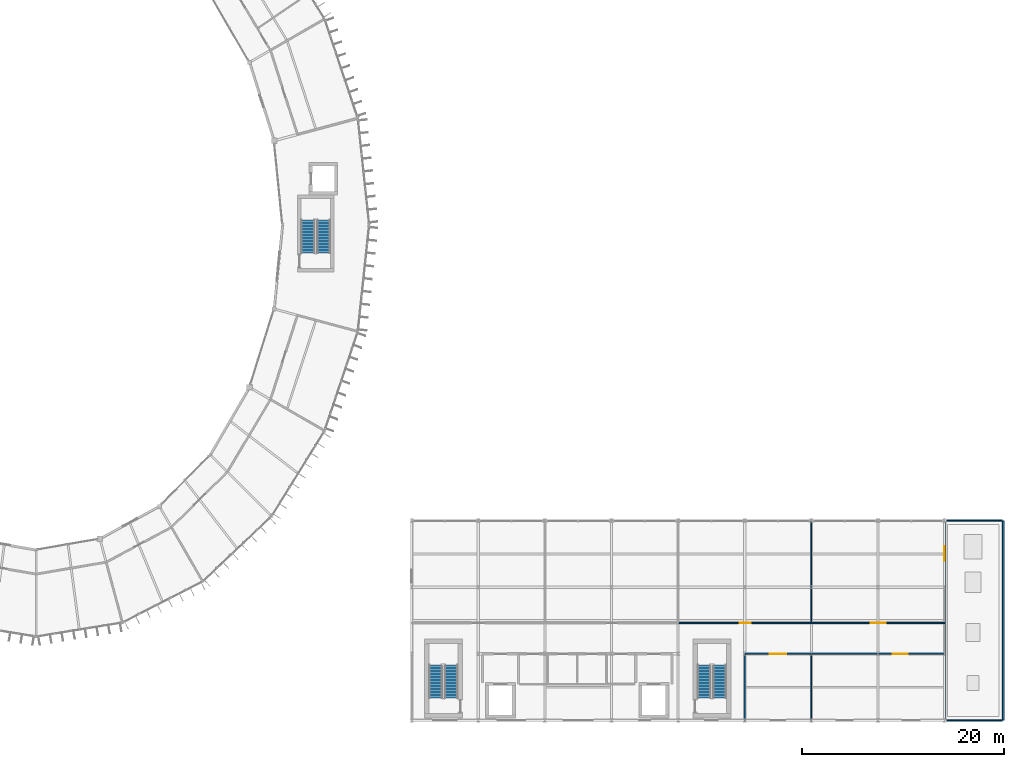
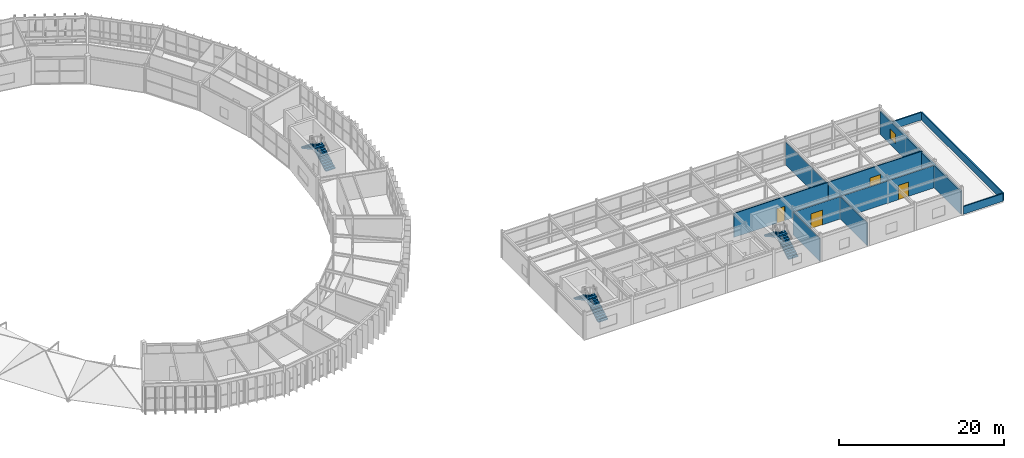
# One storey, part 98 of 106: 11 walls, 6 stair flights, 4 doors, 1 window, 5 openings, 3 elements without a shape of their own.
"""IFC4 building model written with IfcOpenShell, lengths in metres."""

from ifc_helpers import new_model, si_unit, direction, frame, frame_2d, origin, place, context, subcontext, project, spatial, polyline, rectangle, outline, extrude, material, layer, layer_set, type_object, element, fill, aggregate, save


model = new_model("IFC4")

# Units and contexts
model_context = context("Model", 3, precision=1e-05, world=origin(), true_north=direction((0.0, 1.0)))
body_context = subcontext(model_context, "Body", "Model", "MODEL_VIEW")
ifc_project = project(units=[si_unit("LENGTHUNIT", "METRE"), si_unit("AREAUNIT", "SQUARE_METRE"), si_unit("VOLUMEUNIT", "CUBIC_METRE"), si_unit("PLANEANGLEUNIT", "RADIAN"), si_unit("MASSUNIT", "GRAM", prefix="KILO")], contexts=[model_context])

# Site, building, storey
site_placement = place(None, origin())
site = spatial("IfcSite", under=ifc_project, at=site_placement, CompositionType="ELEMENT")
building_placement = place(site_placement, origin())
building = spatial("IfcBuilding", under=site, at=building_placement, Name="Karori Crest Natural Sciences Institute", CompositionType="ELEMENT")
storey_placement = place(building_placement, frame((0.0, 0.0, 25.89990234375)))
storey = spatial("IfcBuildingStorey", under=building, at=storey_placement, Name="L06", CompositionType="ELEMENT", Elevation=25.89990234375)

# Wall, opening, door
ifc_material_1 = material(Name="Write-up office acoustic partition")
ifc_layer_1 = layer(ifc_material_1, 0.1201171875, Name="Write-up office acoustic partition")
ifc_layer_set_1 = layer_set([ifc_layer_1], Name="Write-up office acoustic partition")
wall_type_1 = type_object("IfcWallType", Name="IWT-08", PredefinedType="PARTITIONING", material=ifc_layer_set_1)
wall_1_placement = place(storey_placement, frame((136.60009765625, 7.39990234375, 0.0), z_axis=(0.0, 0.0, 1.0), x_axis=(1.0, 0.0, 0.0)))
wall_1 = element("IfcWall", 1, at=wall_1_placement, inside=storey, type_object=wall_type_1, Name="Partition wall IW-0769", PredefinedType="PARTITIONING", context=body_context, shape_type="SweptSolid", body=[
    extrude(rectangle(XDim=6.599853515625, YDim=0.1201171875, at=frame_2d((3.2998046875, 0.0))), origin(), (0.0, 0.0, 1.0), 3.293212890625),
])
opening_1_placement = place(wall_1_placement, frame((2.5, 0.0, 0.0)))
opening_1 = element("IfcOpeningElement", 2, at=opening_1_placement, cuts=wall_1, Name="Opening ID-0168", PredefinedType="OPENING", context=body_context, shape_type="SweptSolid", body=[
    extrude(rectangle(XDim=1.60009765625, YDim=2.179931640625, at=frame_2d((0.800048828125, 1.08984375))), frame((0.0, 0.070068359375, 0.0), z_axis=(0.0, -1.0, 0.0), x_axis=(1.0, 0.0, 0.0)), (0.0, 0.0, 1.0), 0.14013671875),
])
ifc_material_2 = material(Name="Anodised aluminium and acoustic timber", Category="wood")
door_type_1 = type_object("IfcDoorType", Name="IDT-13", OperationType="DOUBLE_DOOR_SINGLE_SWING", PredefinedType="DOOR", material=ifc_material_2)
door_1_placement = place(opening_1_placement, origin())
door_1 = element("IfcDoor", 3, at=door_1_placement, inside=storey, type_object=door_type_1, Name="Seminar Room door ID-0168", OperationType="DOUBLE_DOOR_SINGLE_SWING", OverallHeight=2.179931640625, OverallWidth=1.60009765625, PredefinedType="DOOR", context=body_context, shape_type="SweptSolid", body=[
    extrude(rectangle(XDim=1.60009765625, YDim=2.179931640625, at=frame_2d((0.800048828125, 1.08984375))), frame((0.0, 0.02490234375, 0.0), z_axis=(0.0, -1.0, 0.0), x_axis=(1.0, 0.0, 0.0)), (0.0, 0.0, 1.0), 0.050048828125),
])
fill(opening_1, door_1)

# Walls
wall_2_placement = place(storey_placement, frame((136.60009765625, 0.800048828125, 0.0), z_axis=(0.0, 0.0, 1.0), x_axis=(0.0, 1.0, 0.0)))
element("IfcWall", 4, at=wall_2_placement, inside=storey, type_object=wall_type_1, Name="Partition wall IW-0770", PredefinedType="PARTITIONING", context=body_context, shape_type="SweptSolid", body=[
    extrude(rectangle(XDim=6.537841796875, YDim=0.1201171875, at=frame_2d((3.26904296875, 0.0))), origin(), (0.0, 0.0, 1.0), 3.3720703125),
])
wall_3_placement = place(storey_placement, frame((143.199951171875, 0.800048828125, 0.0), z_axis=(0.0, 0.0, 1.0), x_axis=(0.0, 1.0, 0.0)))
element("IfcWall", 5, at=wall_3_placement, inside=storey, type_object=wall_type_1, Name="Partition wall IW-0771", PredefinedType="PARTITIONING", context=body_context, shape_type="SweptSolid", body=[
    extrude(rectangle(XDim=6.599853515625, YDim=0.1201171875, at=frame_2d((3.2998046875, 0.0))), origin(), (0.0, 0.0, 1.0), 3.3720703125),
])

# Wall, opening, door
wall_4_placement = place(storey_placement, frame((143.201904296875, 7.39990234375, 0.0), z_axis=(0.0, 0.0, 1.0), x_axis=(1.0, 0.0, 0.0)))
wall_4 = element("IfcWall", 6, at=wall_4_placement, inside=storey, type_object=wall_type_1, Name="Partition wall IW-0772", PredefinedType="PARTITIONING", context=body_context, shape_type="SweptSolid", body=[
    extrude(rectangle(XDim=13.197998046875, YDim=0.1201171875, at=frame_2d((6.59912109375, 0.0))), origin(), (0.0, 0.0, 1.0), 3.293212890625),
])
opening_2_placement = place(wall_4_placement, frame((8.073974609375, 0.0, 0.0)))
opening_2 = element("IfcOpeningElement", 7, at=opening_2_placement, cuts=wall_4, Name="Opening ID-0169", PredefinedType="OPENING", context=body_context, shape_type="SweptSolid", body=[
    extrude(rectangle(XDim=1.449951171875, YDim=2.1201171875, at=frame_2d((0.72509765625, 1.06005859375))), frame((0.0, 0.070068359375, 0.0), z_axis=(0.0, -1.0, 0.0), x_axis=(1.0, 0.0, 0.0)), (0.0, 0.0, 1.0), 0.14013671875),
])
door_type_2 = type_object("IfcDoorType", Name="IDT-11", OperationType="DOUBLE_DOOR_SINGLE_SWING", PredefinedType="DOOR", material=ifc_material_2)
door_2_placement = place(opening_2_placement, origin())
door_2 = element("IfcDoor", 8, at=door_2_placement, inside=storey, type_object=door_type_2, Name="Research Library Reading Room door ID-0169", OperationType="DOUBLE_DOOR_SINGLE_SWING", OverallHeight=2.1201171875, OverallWidth=1.449951171875, PredefinedType="DOOR", context=body_context, shape_type="SweptSolid", body=[
    extrude(rectangle(XDim=1.449951171875, YDim=2.1201171875, at=frame_2d((0.72509765625, 1.06005859375))), frame((0.0, 0.02490234375, 0.0), z_axis=(0.0, -1.0, 0.0), x_axis=(1.0, 0.0, 0.0)), (0.0, 0.0, 1.0), 0.050048828125),
])
fill(opening_2, door_2)

wall_5_placement = place(storey_placement, frame((130.06201171875, 10.449951171875, 0.0), z_axis=(0.0, 0.0, 1.0), x_axis=(1.0, 0.0, 0.0)))
wall_5 = element("IfcWall", 9, at=wall_5_placement, inside=storey, type_object=wall_type_1, Name="Partition wall IW-0777", PredefinedType="PARTITIONING", context=body_context, shape_type="SweptSolid", body=[
    extrude(rectangle(XDim=13.137939453125, YDim=0.1201171875, at=frame_2d((6.56884765625, 0.0))), origin(), (0.0, 0.0, 1.0), 3.546142578125),
])
opening_3_placement = place(wall_5_placement, frame((6.029052734375, 0.0, 0.0)))
opening_3 = element("IfcOpeningElement", 10, at=opening_3_placement, cuts=wall_5, Name="Opening ID-0172", PredefinedType="OPENING", context=body_context, shape_type="SweptSolid", body=[
    extrude(rectangle(XDim=1.080078125, YDim=2.1201171875, at=frame_2d((0.5400390625, 1.06005859375))), frame((0.0, 0.070068359375, 0.0), z_axis=(0.0, -1.0, 0.0), x_axis=(1.0, 0.0, 0.0)), (0.0, 0.0, 1.0), 0.14013671875),
])
door_type_3 = type_object("IfcDoorType", Name="IDT-12", OperationType="NOTDEFINED", PredefinedType="DOOR", material=ifc_material_2)
door_3_placement = place(opening_3_placement, origin())
door_3 = element("IfcDoor", 11, at=door_3_placement, inside=storey, type_object=door_type_3, Name="Biostatistics Studio door ID-0172", OperationType="SINGLE_SWING_RIGHT", OverallHeight=2.1201171875, OverallWidth=1.080078125, PredefinedType="DOOR", context=body_context, shape_type="SweptSolid", body=[
    extrude(rectangle(XDim=1.080078125, YDim=2.1201171875, at=frame_2d((0.5400390625, 1.06005859375))), frame((0.0, 0.02490234375, 0.0), z_axis=(0.0, -1.0, 0.0), x_axis=(1.0, 0.0, 0.0)), (0.0, 0.0, 1.0), 0.050048828125),
])
fill(opening_3, door_3)

# Wall
wall_6_placement = place(storey_placement, frame((143.199951171875, 10.449951171875, 0.0), z_axis=(0.0, 0.0, 1.0), x_axis=(0.0, 1.0, 0.0)))
element("IfcWall", 12, at=wall_6_placement, inside=storey, type_object=wall_type_1, Name="Partition wall IW-0778", PredefinedType="PARTITIONING", context=body_context, shape_type="SweptSolid", body=[
    extrude(rectangle(XDim=10.06298828125, YDim=0.1201171875, at=frame_2d((5.031494140625, 0.0))), origin(), (0.0, 0.0, 1.0), 3.3720703125),
])

# Wall, opening, door
wall_7_placement = place(storey_placement, frame((143.261962890625, 10.449951171875, 0.0), z_axis=(0.0, 0.0, 1.0), x_axis=(1.0, 0.0, 0.0)))
wall_7 = element("IfcWall", 13, at=wall_7_placement, inside=storey, type_object=wall_type_1, Name="Partition wall IW-0779", PredefinedType="PARTITIONING", context=body_context, shape_type="SweptSolid", body=[
    extrude(rectangle(XDim=13.137939453125, YDim=0.1201171875, at=frame_2d((6.56884765625, 0.0))), origin(), (0.0, 0.0, 1.0), 3.546142578125),
])
opening_4_placement = place(wall_7_placement, frame((5.843994140625, 0.0, 0.0)))
opening_4 = element("IfcOpeningElement", 14, at=opening_4_placement, cuts=wall_7, Name="Opening ID-0173", PredefinedType="OPENING", context=body_context, shape_type="SweptSolid", body=[
    extrude(rectangle(XDim=1.449951171875, YDim=2.1201171875, at=frame_2d((0.72509765625, 1.06005859375))), frame((0.0, 0.070068359375, 0.0), z_axis=(0.0, -1.0, 0.0), x_axis=(1.0, 0.0, 0.0)), (0.0, 0.0, 1.0), 0.14013671875),
])
door_4_placement = place(opening_4_placement, origin())
door_4 = element("IfcDoor", 15, at=door_4_placement, inside=storey, type_object=door_type_2, Name="Academic Seminar Room door ID-0173", OperationType="DOUBLE_DOOR_SINGLE_SWING", OverallHeight=2.1201171875, OverallWidth=1.449951171875, PredefinedType="DOOR", context=body_context, shape_type="SweptSolid", body=[
    extrude(rectangle(XDim=1.449951171875, YDim=2.1201171875, at=frame_2d((0.72509765625, 1.06005859375))), frame((0.0, 0.02490234375, 0.0), z_axis=(0.0, -1.0, 0.0), x_axis=(1.0, 0.0, 0.0)), (0.0, 0.0, 1.0), 0.050048828125),
])
fill(opening_4, door_4)

# Wall, opening, window
ifc_material_3 = material(Name="Precast concrete 40 MPa", Category="concrete")
ifc_layer_2 = layer(ifc_material_3, 0.239990234375, Name="Precast concrete 40 MPa")
ifc_layer_set_2 = layer_set([ifc_layer_2], Name="Precast concrete 40 MPa")
wall_type_2 = type_object("IfcWallType", Name="WT-04", PredefinedType="SOLIDWALL", material=ifc_layer_set_2)
wall_8_placement = place(storey_placement, frame((156.39990234375, 20.4384765625, 0.0), z_axis=(0.0, 0.0, 1.0), x_axis=(0.0, -1.0, 0.0)))
wall_8 = element("IfcWall", 16, at=wall_8_placement, inside=storey, type_object=wall_type_2, Name="Exterior wall EW-0213", PredefinedType="SOLIDWALL", context=body_context, shape_type="SweptSolid", body=[
    extrude(rectangle(XDim=19.47705078125, YDim=0.239990234375, at=frame_2d((9.738525390625, 0.0))), origin(), (0.0, 0.0, 1.0), 3.3720703125),
])
opening_5_placement = place(wall_8_placement, frame((2.39990234375, 0.0, 0.85009765625)))
opening_5 = element("IfcOpeningElement", 17, at=opening_5_placement, cuts=wall_8, Name="Opening WN-0193", PredefinedType="OPENING", context=body_context, shape_type="SweptSolid", body=[
    extrude(rectangle(XDim=1.39990234375, YDim=1.39990234375, at=frame_2d((0.699951171875, 0.699951171875))), frame((0.0, 0.1298828125, 0.0), z_axis=(0.0, -1.0, 0.0), x_axis=(1.0, 0.0, 0.0)), (0.0, 0.0, 1.0), 0.260009765625),
])
ifc_material_4 = material(Name="Double low-E laminated glass", Category="glass")
window_type = type_object("IfcWindowType", Name="WNT-03", PartitioningType="SINGLE_PANEL", PredefinedType="WINDOW", material=ifc_material_4)
window_placement = place(opening_5_placement, origin())
window = element("IfcWindow", 18, at=window_placement, inside=storey, type_object=window_type, Name="Window WN-0193", OverallHeight=1.39990234375, OverallWidth=1.39990234375, PartitioningType="SINGLE_PANEL", PredefinedType="WINDOW", context=body_context, shape_type="SweptSolid", body=[
    extrude(rectangle(XDim=1.39990234375, YDim=1.39990234375, at=frame_2d((0.699951171875, 0.699951171875))), frame((0.0, 0.030029296875, 0.0), z_axis=(0.0, -1.0, 0.0), x_axis=(1.0, 0.0, 0.0)), (0.0, 0.0, 1.0), 0.06005859375),
])
fill(opening_5, window)

# Walls
ifc_layer_3 = layer(ifc_material_3, 0.169921875, Name="Precast concrete 40 MPa")
ifc_layer_set_3 = layer_set([ifc_layer_3], Name="Precast concrete 40 MPa")
wall_type_3 = type_object("IfcWallType", Name="WT-07", PredefinedType="PARAPET", material=ifc_layer_set_3)
wall_9_placement = place(storey_placement, frame((156.60009765625, 20.60009765625, 0.0), z_axis=(0.0, 0.0, 1.0), x_axis=(1.0, 0.0, 0.0)))
element("IfcWall", 19, at=wall_9_placement, inside=storey, type_object=wall_type_3, Name="Exterior wall EW-0227", PredefinedType="PARAPET", context=body_context, shape_type="SweptSolid", body=[
    extrude(rectangle(XDim=5.510009765625, YDim=0.169921875, at=frame_2d((2.7548828125, 0.0))), origin(), (0.0, 0.0, 1.0), 1.150146484375),
])
wall_10_placement = place(storey_placement, frame((162.199951171875, 20.60009765625, 0.0), z_axis=(0.0, 0.0, 1.0), x_axis=(0.0, -1.0, 0.0)))
element("IfcWall", 20, at=wall_10_placement, inside=storey, type_object=wall_type_3, Name="Exterior wall EW-0228", PredefinedType="PARAPET", context=body_context, shape_type="SweptSolid", body=[
    extrude(rectangle(XDim=19.800048828125, YDim=0.169921875, at=frame_2d((9.89990234375, 0.0))), origin(), (0.0, 0.0, 1.0), 1.150146484375),
])
wall_11_placement = place(storey_placement, frame((162.110107421875, 0.800048828125, 0.0), z_axis=(0.0, 0.0, 1.0), x_axis=(-1.0, 0.0, 0.0)))
element("IfcWall", 21, at=wall_11_placement, inside=storey, type_object=wall_type_3, Name="Exterior wall EW-0229", PredefinedType="PARAPET", context=body_context, shape_type="SweptSolid", body=[
    extrude(rectangle(XDim=5.510009765625, YDim=0.169921875, at=frame_2d((2.7548828125, 0.0))), origin(), (0.0, 0.0, 1.0), 1.150146484375),
])

# Stair, stair flights
ifc_material_5 = material(Name="Concrete 40 MPa", Category="concrete")
stair_type = type_object("IfcStairType", Name="STT-01", PredefinedType="HALF_TURN_STAIR", material=ifc_material_5)
stair_1_placement = place(storey_placement, origin())
stair_1 = element("IfcStair", 22, at=stair_1_placement, inside=storey, type_object=stair_type, Name="Protected stair ST-01-L06", PredefinedType="HALF_TURN_STAIR")
stair_flight_type = type_object("IfcStairFlightType", Name="SFT-01", PredefinedType="STRAIGHT", material=ifc_material_5)
stair_flight_1_placement = place(storey_placement, frame((94.875, 47.10009765625, 0.0), z_axis=(0.0, 0.0, 1.0), x_axis=(0.0, 1.0, 0.0)))
stair_flight_1 = element("IfcStairFlight", 23, at=stair_flight_1_placement, type_object=stair_flight_type, Name="ST-01-L06 flight 1", NumberOfRisers=12, NumberOfTreads=11, PredefinedType="STRAIGHT", RiserHeight=0.175, TreadLength=0.3, context=body_context, shape_type="SweptSolid", body=[
    extrude(outline(polyline([(0.0, 0.0), (0.0, 0.175048828125), (0.300048828125, 0.175048828125), (0.300048828125, 0.35009765625), (0.60009765625, 0.35009765625), (0.60009765625, 0.52490234375), (0.89990234375, 0.52490234375), (0.89990234375, 0.699951171875), (1.199951171875, 0.699951171875), (1.199951171875, 0.875), (1.5, 0.875), (1.5, 1.050048828125), (1.800048828125, 1.050048828125), (1.800048828125, 1.22509765625), (2.10009765625, 1.22509765625), (2.10009765625, 1.39990234375), (2.39990234375, 1.39990234375), (2.39990234375, 1.574951171875), (2.699951171875, 1.574951171875), (2.699951171875, 1.75), (3.0, 1.75), (3.0, 1.925048828125), (3.300048828125, 1.925048828125), (3.300048828125, 2.10009765625), (3.300048828125, 1.739990234375), (0.3173828125, 0.0), (0.0, 0.0)])), frame((0.0, 0.675048828125, 0.0), z_axis=(0.0, -1.0, 0.0), x_axis=(1.0, 0.0, 0.0)), (0.0, 0.0, 1.0), 1.35009765625),
])
stair_flight_2_placement = place(storey_placement, frame((93.324951171875, 50.39990234375, 2.10009765625), z_axis=(0.0, 0.0, 1.0), x_axis=(0.0, -1.0, 0.0)))
stair_flight_2 = element("IfcStairFlight", 24, at=stair_flight_2_placement, type_object=stair_flight_type, Name="ST-01-L06 flight 2", NumberOfRisers=12, NumberOfTreads=11, PredefinedType="STRAIGHT", RiserHeight=0.175, TreadLength=0.3, context=body_context, shape_type="SweptSolid", body=[
    extrude(outline(polyline([(0.0, 0.0), (0.0, 0.175048828125), (0.300048828125, 0.175048828125), (0.300048828125, 0.35009765625), (0.60009765625, 0.35009765625), (0.60009765625, 0.52490234375), (0.89990234375, 0.52490234375), (0.89990234375, 0.699951171875), (1.199951171875, 0.699951171875), (1.199951171875, 0.875), (1.5, 0.875), (1.5, 1.050048828125), (1.800048828125, 1.050048828125), (1.800048828125, 1.22509765625), (2.10009765625, 1.22509765625), (2.10009765625, 1.39990234375), (2.39990234375, 1.39990234375), (2.39990234375, 1.574951171875), (2.699951171875, 1.574951171875), (2.699951171875, 1.75), (3.0, 1.75), (3.0, 1.925048828125), (3.300048828125, 1.925048828125), (3.300048828125, 2.10009765625), (3.300048828125, 1.739990234375), (0.3173828125, 0.0), (0.0, 0.0)])), frame((0.0, 0.675048828125, 0.0), z_axis=(0.0, -1.0, 0.0), x_axis=(1.0, 0.0, 0.0)), (0.0, 0.0, 1.0), 1.35009765625),
])
aggregate(stair_1, [stair_flight_1, stair_flight_2])

stair_2_placement = place(storey_placement, origin())
stair_2 = element("IfcStair", 25, at=stair_2_placement, inside=storey, type_object=stair_type, Name="Protected stair ST-03-L06", PredefinedType="HALF_TURN_STAIR")
stair_flight_3_placement = place(storey_placement, frame((107.52490234375, 3.0, 0.0), z_axis=(0.0, 0.0, 1.0), x_axis=(0.0, 1.0, 0.0)))
stair_flight_3 = element("IfcStairFlight", 26, at=stair_flight_3_placement, type_object=stair_flight_type, Name="ST-03-L06 flight 1", NumberOfRisers=12, NumberOfTreads=11, PredefinedType="STRAIGHT", RiserHeight=0.175, TreadLength=0.3, context=body_context, shape_type="SweptSolid", body=[
    extrude(outline(polyline([(0.0, 0.0), (0.0, 0.175048828125), (0.300048828125, 0.175048828125), (0.300048828125, 0.35009765625), (0.60009765625, 0.35009765625), (0.60009765625, 0.52490234375), (0.89990234375, 0.52490234375), (0.89990234375, 0.699951171875), (1.199951171875, 0.699951171875), (1.199951171875, 0.875), (1.5, 0.875), (1.5, 1.050048828125), (1.800048828125, 1.050048828125), (1.800048828125, 1.22509765625), (2.10009765625, 1.22509765625), (2.10009765625, 1.39990234375), (2.39990234375, 1.39990234375), (2.39990234375, 1.574951171875), (2.699951171875, 1.574951171875), (2.699951171875, 1.75), (3.0, 1.75), (3.0, 1.925048828125), (3.300048828125, 1.925048828125), (3.300048828125, 2.10009765625), (3.300048828125, 1.739990234375), (0.3173828125, 0.0), (0.0, 0.0)])), frame((0.0, 0.675048828125, 0.0), z_axis=(0.0, -1.0, 0.0), x_axis=(1.0, 0.0, 0.0)), (0.0, 0.0, 1.0), 1.35009765625),
])
stair_flight_4_placement = place(storey_placement, frame((105.97509765625, 6.300048828125, 2.10009765625), z_axis=(0.0, 0.0, 1.0), x_axis=(0.0, -1.0, 0.0)))
stair_flight_4 = element("IfcStairFlight", 27, at=stair_flight_4_placement, type_object=stair_flight_type, Name="ST-03-L06 flight 2", NumberOfRisers=12, NumberOfTreads=11, PredefinedType="STRAIGHT", RiserHeight=0.175, TreadLength=0.3, context=body_context, shape_type="SweptSolid", body=[
    extrude(outline(polyline([(0.0, 0.0), (0.0, 0.175048828125), (0.300048828125, 0.175048828125), (0.300048828125, 0.35009765625), (0.60009765625, 0.35009765625), (0.60009765625, 0.52490234375), (0.89990234375, 0.52490234375), (0.89990234375, 0.699951171875), (1.199951171875, 0.699951171875), (1.199951171875, 0.875), (1.5, 0.875), (1.5, 1.050048828125), (1.800048828125, 1.050048828125), (1.800048828125, 1.22509765625), (2.10009765625, 1.22509765625), (2.10009765625, 1.39990234375), (2.39990234375, 1.39990234375), (2.39990234375, 1.574951171875), (2.699951171875, 1.574951171875), (2.699951171875, 1.75), (3.0, 1.75), (3.0, 1.925048828125), (3.300048828125, 1.925048828125), (3.300048828125, 2.10009765625), (3.300048828125, 1.739990234375), (0.3173828125, 0.0), (0.0, 0.0)])), frame((0.0, 0.675048828125, 0.0), z_axis=(0.0, -1.0, 0.0), x_axis=(1.0, 0.0, 0.0)), (0.0, 0.0, 1.0), 1.35009765625),
])
aggregate(stair_2, [stair_flight_3, stair_flight_4])

stair_3_placement = place(storey_placement, origin())
stair_3 = element("IfcStair", 28, at=stair_3_placement, inside=storey, type_object=stair_type, Name="Protected stair ST-04-L06", PredefinedType="HALF_TURN_STAIR")
stair_flight_5_placement = place(storey_placement, frame((134.125, 3.0, 0.0), z_axis=(0.0, 0.0, 1.0), x_axis=(0.0, 1.0, 0.0)))
stair_flight_5 = element("IfcStairFlight", 29, at=stair_flight_5_placement, type_object=stair_flight_type, Name="ST-04-L06 flight 1", NumberOfRisers=12, NumberOfTreads=11, PredefinedType="STRAIGHT", RiserHeight=0.175, TreadLength=0.3, context=body_context, shape_type="SweptSolid", body=[
    extrude(outline(polyline([(0.0, 0.0), (0.0, 0.175048828125), (0.300048828125, 0.175048828125), (0.300048828125, 0.35009765625), (0.60009765625, 0.35009765625), (0.60009765625, 0.52490234375), (0.89990234375, 0.52490234375), (0.89990234375, 0.699951171875), (1.199951171875, 0.699951171875), (1.199951171875, 0.875), (1.5, 0.875), (1.5, 1.050048828125), (1.800048828125, 1.050048828125), (1.800048828125, 1.22509765625), (2.10009765625, 1.22509765625), (2.10009765625, 1.39990234375), (2.39990234375, 1.39990234375), (2.39990234375, 1.574951171875), (2.699951171875, 1.574951171875), (2.699951171875, 1.75), (3.0, 1.75), (3.0, 1.925048828125), (3.300048828125, 1.925048828125), (3.300048828125, 2.10009765625), (3.300048828125, 1.739990234375), (0.3173828125, 0.0), (0.0, 0.0)])), frame((0.0, 0.675048828125, 0.0), z_axis=(0.0, -1.0, 0.0), x_axis=(1.0, 0.0, 0.0)), (0.0, 0.0, 1.0), 1.35009765625),
])
stair_flight_6_placement = place(storey_placement, frame((132.574951171875, 6.300048828125, 2.10009765625), z_axis=(0.0, 0.0, 1.0), x_axis=(0.0, -1.0, 0.0)))
stair_flight_6 = element("IfcStairFlight", 30, at=stair_flight_6_placement, type_object=stair_flight_type, Name="ST-04-L06 flight 2", NumberOfRisers=12, NumberOfTreads=11, PredefinedType="STRAIGHT", RiserHeight=0.175, TreadLength=0.3, context=body_context, shape_type="SweptSolid", body=[
    extrude(outline(polyline([(0.0, 0.0), (0.0, 0.175048828125), (0.300048828125, 0.175048828125), (0.300048828125, 0.35009765625), (0.60009765625, 0.35009765625), (0.60009765625, 0.52490234375), (0.89990234375, 0.52490234375), (0.89990234375, 0.699951171875), (1.199951171875, 0.699951171875), (1.199951171875, 0.875), (1.5, 0.875), (1.5, 1.050048828125), (1.800048828125, 1.050048828125), (1.800048828125, 1.22509765625), (2.10009765625, 1.22509765625), (2.10009765625, 1.39990234375), (2.39990234375, 1.39990234375), (2.39990234375, 1.574951171875), (2.699951171875, 1.574951171875), (2.699951171875, 1.75), (3.0, 1.75), (3.0, 1.925048828125), (3.300048828125, 1.925048828125), (3.300048828125, 2.10009765625), (3.300048828125, 1.739990234375), (0.3173828125, 0.0), (0.0, 0.0)])), frame((0.0, 0.675048828125, 0.0), z_axis=(0.0, -1.0, 0.0), x_axis=(1.0, 0.0, 0.0)), (0.0, 0.0, 1.0), 1.35009765625),
])
aggregate(stair_3, [stair_flight_5, stair_flight_6])

save(model, "model.ifc")
